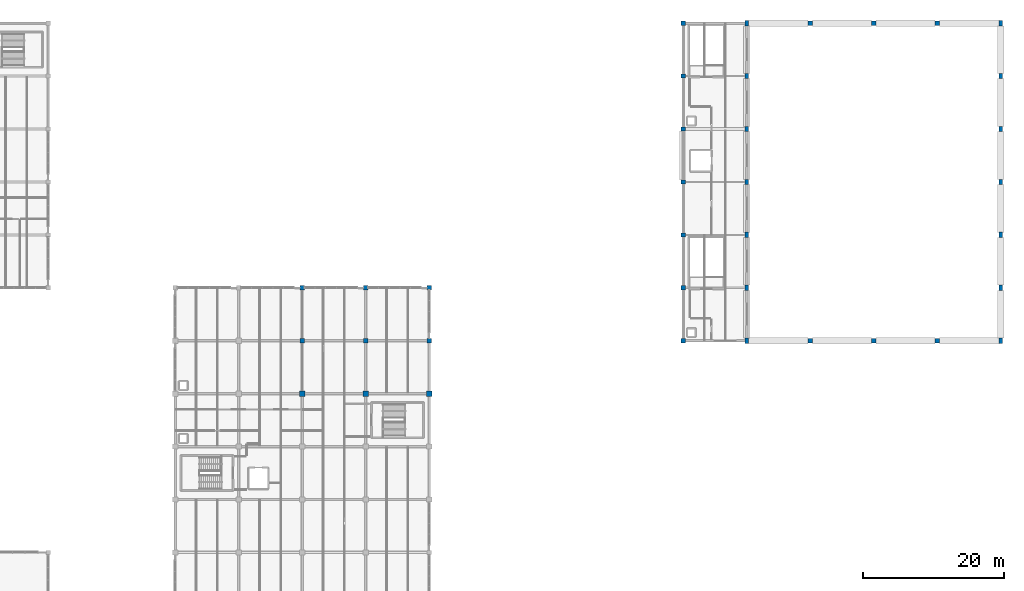
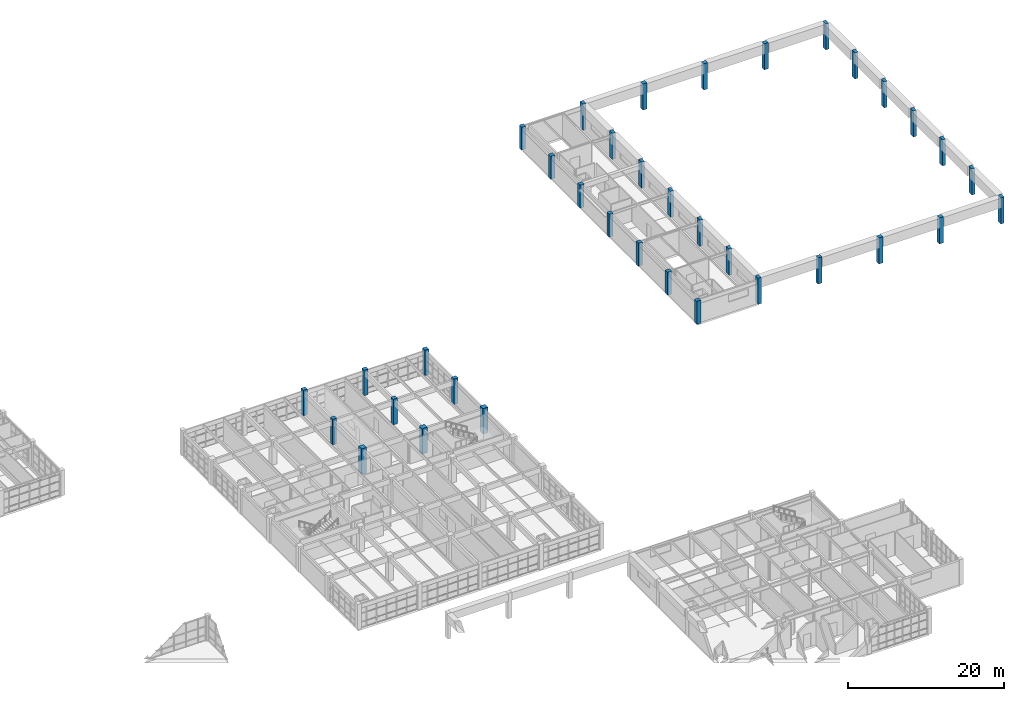
# One storey, part 10 of 76: 36 columns.
"""IFC4 building model written with IfcOpenShell, lengths in metres."""

from ifc_helpers import new_model, si_unit, direction, frame, origin, origin_2d, place, context, subcontext, project, spatial, rectangle, extrude, material, material_profile, profile_set, type_object, element, save


model = new_model("IFC4")

# Units and contexts
model_context = context("Model", 3, precision=1e-05, world=origin(), true_north=direction((0.0, 1.0)))
body_context = subcontext(model_context, "Body", "Model", "MODEL_VIEW")
ifc_project = project(units=[si_unit("LENGTHUNIT", "METRE"), si_unit("AREAUNIT", "SQUARE_METRE"), si_unit("VOLUMEUNIT", "CUBIC_METRE"), si_unit("PLANEANGLEUNIT", "RADIAN"), si_unit("MASSUNIT", "GRAM", prefix="KILO")], contexts=[model_context])

# Site, building, storey
site_placement = place(None, origin())
site = spatial("IfcSite", under=ifc_project, at=site_placement, CompositionType="ELEMENT")
building_placement = place(site_placement, origin())
building = spatial("IfcBuilding", under=site, at=building_placement, Name="Marnridge Secondary College", CompositionType="ELEMENT")
storey_placement = place(building_placement, frame((0.0, 0.0, 4.5)))
storey = spatial("IfcBuildingStorey", under=building, at=storey_placement, Name="L01", CompositionType="ELEMENT", Elevation=4.5)

# Columns
ifc_material_1 = material(Name="Concrete C40/50 (AS 3600 N40, 40 MPa)", Category="concrete")
ifc_material_profile_1 = material_profile(ifc_material_1, rectangle(XDim=0.449951171875, YDim=0.75, at=origin_2d()), Name="RC 450x750")
ifc_profile_set_1 = profile_set([ifc_material_profile_1], Name="Concrete C40/50 (AS 3600 N40, 40 MPa)")
column_type_1 = type_object("IfcColumnType", Name="CL-RC4575-EXT", PredefinedType="COLUMN", material=ifc_profile_set_1)
for number, where, z_axis, x_axis, name in (
    (1, (135.0, 75.0, 0.0), (0.0, 0.0, 1.0), (1.0, 0.0, 0.0), "Column C-L01-0455"),
    (2, (171.0, 75.0, 0.0), (0.0, 0.0, 1.0), (1.0, 0.0, 0.0), "Column C-L01-0463"),
    (3, (135.0, 82.5, 0.0), (0.0, 0.0, 1.0), (1.0, 0.0, 0.0), "Column C-L01-0500"),
    (4, (171.0, 82.5, 0.0), (0.0, 0.0, 1.0), (1.0, 0.0, 0.0), "Column C-L01-0502"),
    (5, (135.0, 90.0, 0.0), (0.0, 0.0, 1.0), (1.0, 0.0, 0.0), "Column C-L01-0526"),
    (6, (171.0, 90.0, 0.0), (0.0, 0.0, 1.0), (1.0, 0.0, 0.0), "Column C-L01-0528"),
    (7, (135.0, 97.5, 0.0), (0.0, 0.0, 1.0), (1.0, 0.0, 0.0), "Column C-L01-0552"),
    (8, (171.0, 97.5, 0.0), (0.0, 0.0, 1.0), (1.0, 0.0, 0.0), "Column C-L01-0554"),
    (9, (135.0, 105.0, 0.0), (0.0, 0.0, 1.0), (1.0, 0.0, 0.0), "Column C-L01-0578"),
    (10, (171.0, 105.0, 0.0), (0.0, 0.0, 1.0), (1.0, 0.0, 0.0), "Column C-L01-0580"),
    (11, (135.0, 112.5, 0.0), (0.0, 0.0, 1.0), (1.0, 0.0, 0.0), "Column C-L01-0604"),
    (12, (171.0, 112.5, 0.0), (0.0, 0.0, 1.0), (1.0, 0.0, 0.0), "Column C-L01-0606"),
    (13, (135.0, 120.0, 0.0), (0.0, 0.0, 1.0), (1.0, 0.0, 0.0), "Column C-L01-0630"),
    (14, (171.0, 120.0, 0.0), (0.0, 0.0, 1.0), (1.0, 0.0, 0.0), "Column C-L01-0638"),
):
    element("IfcColumn", number, at=place(storey_placement, frame(where, z_axis=z_axis, x_axis=x_axis)), inside=storey, type_object=column_type_1, Name=name, PredefinedType="COLUMN", context=body_context, shape_type="SweptSolid", body=[
        extrude(rectangle(XDim=0.449951171875, YDim=0.75, at=origin_2d()), origin(), (0.0, 0.0, 1.0), 4.10009765625),
    ])
ifc_material_2 = material(Name="Concrete C40/50 (AS 3600 N40, 40 MPa)", Category="concrete")
ifc_material_profile_2 = material_profile(ifc_material_2, rectangle(XDim=0.60009765625, YDim=0.60009765625, at=origin_2d()), Name="RC 600x600")
ifc_profile_set_2 = profile_set([ifc_material_profile_2], Name="Concrete C40/50 (AS 3600 N40, 40 MPa)")
column_type_2 = type_object("IfcColumnType", Name="CL-RC600-EXT", PredefinedType="COLUMN", material=ifc_profile_set_2)
column_1_placement = place(storey_placement, frame((90.0, 75.0, 0.0), z_axis=(0.0, 0.0, 1.0), x_axis=(1.0, 0.0, 0.0)))
element("IfcColumn", 15, at=column_1_placement, inside=storey, type_object=column_type_2, Name="Column C-L01-0449", PredefinedType="COLUMN", context=body_context, shape_type="SweptSolid", body=[
    extrude(rectangle(XDim=0.60009765625, YDim=0.60009765625, at=origin_2d()), origin(), (0.0, 0.0, 1.0), 4.0),
])
column_2_placement = place(storey_placement, frame((126.0, 75.0, 0.0), z_axis=(0.0, 0.0, 1.0), x_axis=(1.0, 0.0, 0.0)))
element("IfcColumn", 16, at=column_2_placement, inside=storey, type_object=column_type_2, Name="Column C-L01-0453", PredefinedType="COLUMN", context=body_context, shape_type="SweptSolid", body=[
    extrude(rectangle(XDim=0.60009765625, YDim=0.60009765625, at=origin_2d()), origin(), (0.0, 0.0, 1.0), 3.6201171875),
])
for number, where, z_axis, x_axis, name in (
    (17, (144.0, 75.0, 0.0), (0.0, 0.0, 1.0), (1.0, 0.0, 0.0), "Column C-L01-0457"),
    (18, (153.0, 75.0, 0.0), (0.0, 0.0, 1.0), (1.0, 0.0, 0.0), "Column C-L01-0459"),
    (19, (162.0, 75.0, 0.0), (0.0, 0.0, 1.0), (1.0, 0.0, 0.0), "Column C-L01-0461"),
):
    element("IfcColumn", number, at=place(storey_placement, frame(where, z_axis=z_axis, x_axis=x_axis)), inside=storey, type_object=column_type_2, Name=name, PredefinedType="COLUMN", context=body_context, shape_type="SweptSolid", body=[
        extrude(rectangle(XDim=0.60009765625, YDim=0.60009765625, at=origin_2d()), origin(), (0.0, 0.0, 1.0), 4.10009765625),
    ])
for number, where, z_axis, x_axis, name in (
    (20, (72.0, 82.5, 0.0), (0.0, 0.0, 1.0), (1.0, 0.0, 0.0), "Column C-L01-0489"),
    (21, (81.0, 82.5, 0.0), (0.0, 0.0, 1.0), (1.0, 0.0, 0.0), "Column C-L01-0492"),
    (22, (90.0, 82.5, 0.0), (0.0, 0.0, 1.0), (1.0, 0.0, 0.0), "Column C-L01-0495"),
):
    element("IfcColumn", number, at=place(storey_placement, frame(where, z_axis=z_axis, x_axis=x_axis)), inside=storey, type_object=column_type_2, Name=name, PredefinedType="COLUMN", context=body_context, shape_type="SweptSolid", body=[
        extrude(rectangle(XDim=0.60009765625, YDim=0.60009765625, at=origin_2d()), origin(), (0.0, 0.0, 1.0), 4.0),
    ])
for number, where, z_axis, x_axis, name in (
    (23, (126.0, 82.5, 0.0), (0.0, 0.0, 1.0), (1.0, 0.0, 0.0), "Column C-L01-0498"),
    (24, (126.0, 90.0, 0.0), (0.0, 0.0, 1.0), (1.0, 0.0, 0.0), "Column C-L01-0524"),
    (25, (126.0, 97.5, 0.0), (0.0, 0.0, 1.0), (1.0, 0.0, 0.0), "Column C-L01-0550"),
    (26, (126.0, 105.0, 0.0), (0.0, 0.0, 1.0), (1.0, 0.0, 0.0), "Column C-L01-0576"),
    (27, (126.0, 112.5, 0.0), (0.0, 0.0, 1.0), (1.0, 0.0, 0.0), "Column C-L01-0602"),
    (28, (126.0, 120.0, 0.0), (0.0, 0.0, 1.0), (1.0, 0.0, 0.0), "Column C-L01-0628"),
):
    element("IfcColumn", number, at=place(storey_placement, frame(where, z_axis=z_axis, x_axis=x_axis)), inside=storey, type_object=column_type_2, Name=name, PredefinedType="COLUMN", context=body_context, shape_type="SweptSolid", body=[
        extrude(rectangle(XDim=0.60009765625, YDim=0.60009765625, at=origin_2d()), origin(), (0.0, 0.0, 1.0), 3.6201171875),
    ])
for number, where, z_axis, x_axis, name in (
    (29, (144.0, 120.0, 0.0), (0.0, 0.0, 1.0), (1.0, 0.0, 0.0), "Column C-L01-0632"),
    (30, (153.0, 120.0, 0.0), (0.0, 0.0, 1.0), (1.0, 0.0, 0.0), "Column C-L01-0634"),
    (31, (162.0, 120.0, 0.0), (0.0, 0.0, 1.0), (1.0, 0.0, 0.0), "Column C-L01-0636"),
):
    element("IfcColumn", number, at=place(storey_placement, frame(where, z_axis=z_axis, x_axis=x_axis)), inside=storey, type_object=column_type_2, Name=name, PredefinedType="COLUMN", context=body_context, shape_type="SweptSolid", body=[
        extrude(rectangle(XDim=0.60009765625, YDim=0.60009765625, at=origin_2d()), origin(), (0.0, 0.0, 1.0), 4.10009765625),
    ])
ifc_material_3 = material(Name="Concrete C40/50 (AS 3600 N40, 40 MPa)", Category="concrete")
ifc_material_profile_3 = material_profile(ifc_material_3, rectangle(XDim=0.60009765625, YDim=0.60009765625, at=origin_2d()), Name="RC 600x600")
ifc_profile_set_3 = profile_set([ifc_material_profile_3], Name="Concrete C40/50 (AS 3600 N40, 40 MPa)")
column_type_3 = type_object("IfcColumnType", Name="CL-RC600-INT", PredefinedType="COLUMN", material=ifc_profile_set_3)
for number, where, z_axis, x_axis, name in (
    (32, (72.0, 75.0, 0.0), (0.0, 0.0, 1.0), (1.0, 0.0, 0.0), "Column C-L01-0441"),
    (33, (81.0, 75.0, 0.0), (0.0, 0.0, 1.0), (1.0, 0.0, 0.0), "Column C-L01-0445"),
):
    element("IfcColumn", number, at=place(storey_placement, frame(where, z_axis=z_axis, x_axis=x_axis)), inside=storey, type_object=column_type_3, Name=name, PredefinedType="COLUMN", context=body_context, shape_type="SweptSolid", body=[
        extrude(rectangle(XDim=0.60009765625, YDim=0.60009765625, at=origin_2d()), origin(), (0.0, 0.0, 1.0), 4.0),
    ])
ifc_material_4 = material(Name="Concrete C50/60 (AS 3600 N50, 50 MPa)", Category="concrete")
ifc_material_profile_4 = material_profile(ifc_material_4, rectangle(XDim=0.75, YDim=0.75, at=origin_2d()), Name="RC 750x750")
ifc_profile_set_4 = profile_set([ifc_material_profile_4], Name="Concrete C50/60 (AS 3600 N50, 50 MPa)")
column_type_4 = type_object("IfcColumnType", Name="CL-RC750-EXT", PredefinedType="COLUMN", material=ifc_profile_set_4)
column_3_placement = place(storey_placement, frame((90.0, 67.5, 0.0), z_axis=(0.0, 0.0, 1.0), x_axis=(1.0, 0.0, 0.0)))
element("IfcColumn", 34, at=column_3_placement, inside=storey, type_object=column_type_4, Name="Column C-L01-0415", PredefinedType="COLUMN", context=body_context, shape_type="SweptSolid", body=[
    extrude(rectangle(XDim=0.75, YDim=0.75, at=origin_2d()), origin(), (0.0, 0.0, 1.0), 4.0),
])
ifc_material_5 = material(Name="Concrete C50/60 (AS 3600 N50, 50 MPa)", Category="concrete")
ifc_material_profile_5 = material_profile(ifc_material_5, rectangle(XDim=0.75, YDim=0.75, at=origin_2d()), Name="RC 750x750")
ifc_profile_set_5 = profile_set([ifc_material_profile_5], Name="Concrete C50/60 (AS 3600 N50, 50 MPa)")
column_type_5 = type_object("IfcColumnType", Name="CL-RC750-INT", PredefinedType="COLUMN", material=ifc_profile_set_5)
for number, where, z_axis, x_axis, name in (
    (35, (72.0, 67.5, 0.0), (0.0, 0.0, 1.0), (1.0, 0.0, 0.0), "Column C-L01-0401"),
    (36, (81.0, 67.5, 0.0), (0.0, 0.0, 1.0), (1.0, 0.0, 0.0), "Column C-L01-0408"),
):
    element("IfcColumn", number, at=place(storey_placement, frame(where, z_axis=z_axis, x_axis=x_axis)), inside=storey, type_object=column_type_5, Name=name, PredefinedType="COLUMN", context=body_context, shape_type="SweptSolid", body=[
        extrude(rectangle(XDim=0.75, YDim=0.75, at=origin_2d()), origin(), (0.0, 0.0, 1.0), 4.0),
    ])

save(model, "model.ifc")
